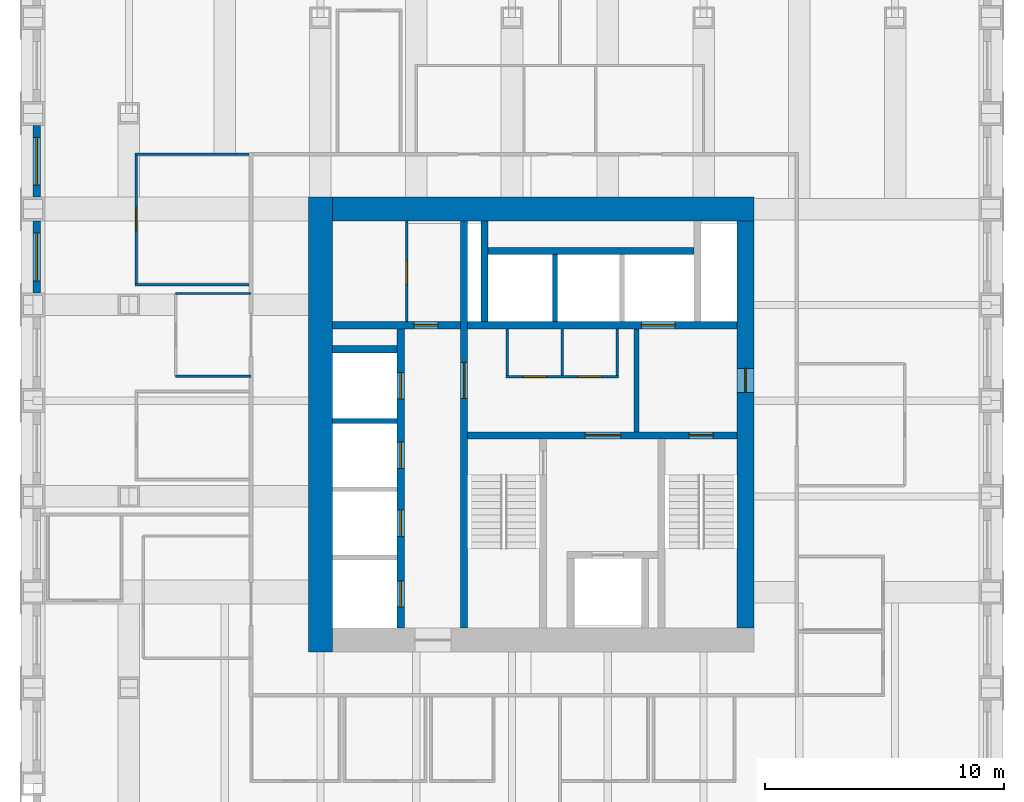
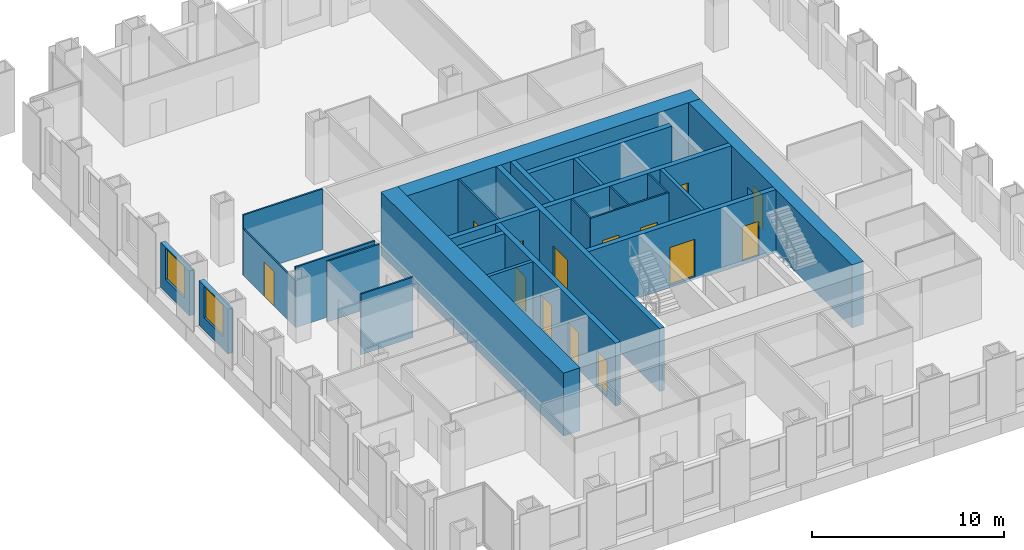
# One storey, part 10 of 14: 26 walls, 14 doors, 2 windows, 16 openings.
"""IFC4 building model written with IfcOpenShell, lengths in metres."""

from ifc_helpers import new_model, si_unit, direction, frame, frame_2d, origin, place, context, subcontext, project, spatial, rectangle, extrude, material, layer, layer_set, type_object, element, fill, save


model = new_model("IFC4")

# Units and contexts
model_context = context("Model", 3, precision=1e-05, world=origin(), true_north=direction((0.0, 1.0)))
body_context = subcontext(model_context, "Body", "Model", "MODEL_VIEW")
ifc_project = project(units=[si_unit("LENGTHUNIT", "METRE"), si_unit("AREAUNIT", "SQUARE_METRE"), si_unit("VOLUMEUNIT", "CUBIC_METRE"), si_unit("PLANEANGLEUNIT", "RADIAN"), si_unit("MASSUNIT", "GRAM", prefix="KILO")], contexts=[model_context])

# Site, building, storey
site_placement = place(None, origin())
site = spatial("IfcSite", under=ifc_project, at=site_placement, CompositionType="ELEMENT")
building_placement = place(site_placement, origin())
building = spatial("IfcBuilding", under=site, at=building_placement, Name="Rimbunsela Tower", CompositionType="ELEMENT")
storey_placement = place(building_placement, frame((0.0, 0.0, 179.800048828125)))
storey = spatial("IfcBuildingStorey", under=building, at=storey_placement, Name="L43", CompositionType="ELEMENT", Elevation=179.800048828125)

# Wall, opening, door
ifc_material_1 = material(Name="Concrete fc' 80 MPa", Category="concrete")
ifc_layer_1 = layer(ifc_material_1, 0.300048828125)
ifc_layer_set_1 = layer_set([ifc_layer_1], Name="Core internal wall 300")
wall_type_1 = type_object("IfcWallType", Name="Core internal wall 300", PredefinedType="SHEAR", material=ifc_layer_set_1)
wall_1_placement = place(storey_placement, frame((24.0, 18.5, -0.150146484375), z_axis=(0.0, 0.0, 1.0), x_axis=(0.0, 1.0, 0.0)))
wall_1 = element("IfcWall", 1, at=wall_1_placement, inside=storey, type_object=wall_type_1, Name="Core wall at stair A", PredefinedType="SHEAR", context=body_context, shape_type="SweptSolid", body=[
    extrude(rectangle(XDim=17.0, YDim=0.300048828125, at=frame_2d((8.5, 0.0))), origin(), (0.0, 0.0, 1.0), 4.0),
])
opening_1_placement = place(wall_1_placement, frame((9.60009765625, 0.0, 0.14990234375)))
opening_1 = element("IfcOpeningElement", 2, at=opening_1_placement, cuts=wall_1, Name="Opening D03", PredefinedType="OPENING", context=body_context, shape_type="SweptSolid", body=[
    extrude(rectangle(XDim=1.5, YDim=2.39990234375, at=frame_2d((0.75, 1.199951171875))), frame((0.0, 0.159912109375, 0.0), z_axis=(0.0, -1.0, 0.0), x_axis=(1.0, 0.0, 0.0)), (0.0, 0.0, 1.0), 0.320068359375),
])
ifc_material_2 = material(Name="Steel door, fire rated", Category="steel")
door_type_1 = type_object("IfcDoorType", Name="Core lobby door 1500", OperationType="DOUBLE_DOOR_DOUBLE_SWING", PredefinedType="DOOR", material=ifc_material_2)
door_1_placement = place(opening_1_placement, origin())
door_1 = element("IfcDoor", 3, at=door_1_placement, inside=storey, type_object=door_type_1, Name="West lobby door", OperationType="DOUBLE_DOOR_DOUBLE_SWING", OverallHeight=2.39990234375, OverallWidth=1.5, PredefinedType="DOOR", context=body_context, shape_type="SweptSolid", body=[
    extrude(rectangle(XDim=1.5, YDim=2.39990234375, at=frame_2d((0.75, 1.199951171875))), frame((0.0, 0.02490234375, 0.0), z_axis=(0.0, -1.0, 0.0), x_axis=(1.0, 0.0, 0.0)), (0.0, 0.0, 1.0), 0.050048828125),
])
fill(opening_1, door_1)

# Wall, openings, doors
wall_2_placement = place(storey_placement, frame((24.14990234375, 26.550048828125, -0.150146484375), z_axis=(0.0, 0.0, 1.0), x_axis=(1.0, 0.0, 0.0)))
wall_2 = element("IfcWall", 4, at=wall_2_placement, inside=storey, type_object=wall_type_1, Name="Core wall lobby south", PredefinedType="SHEAR", context=body_context, shape_type="SweptSolid", body=[
    extrude(rectangle(XDim=11.25, YDim=0.300048828125, at=frame_2d((5.625, 0.0))), origin(), (0.0, 0.0, 1.0), 4.0),
])
opening_2_placement = place(wall_2_placement, frame((9.25, 0.0, 0.14990234375)))
opening_2 = element("IfcOpeningElement", 5, at=opening_2_placement, cuts=wall_2, Name="Opening D01", PredefinedType="OPENING", context=body_context, shape_type="SweptSolid", body=[
    extrude(rectangle(XDim=1.0, YDim=2.199951171875, at=frame_2d((0.5, 1.10009765625))), frame((0.0, 0.159912109375, 0.0), z_axis=(0.0, -1.0, 0.0), x_axis=(1.0, 0.0, 0.0)), (0.0, 0.0, 1.0), 0.320068359375),
])
opening_3_placement = place(wall_2_placement, frame((4.89990234375, 0.0, 0.14990234375)))
opening_3 = element("IfcOpeningElement", 6, at=opening_3_placement, cuts=wall_2, Name="Opening D03", PredefinedType="OPENING", context=body_context, shape_type="SweptSolid", body=[
    extrude(rectangle(XDim=1.5, YDim=2.39990234375, at=frame_2d((0.75, 1.199951171875))), frame((0.0, 0.159912109375, 0.0), z_axis=(0.0, -1.0, 0.0), x_axis=(1.0, 0.0, 0.0)), (0.0, 0.0, 1.0), 0.320068359375),
])
door_2_placement = place(opening_3_placement, origin())
door_2 = element("IfcDoor", 7, at=door_2_placement, inside=storey, type_object=door_type_1, Name="Firefighting lobby door", OperationType="DOUBLE_DOOR_DOUBLE_SWING", OverallHeight=2.39990234375, OverallWidth=1.5, PredefinedType="DOOR", context=body_context, shape_type="SweptSolid", body=[
    extrude(rectangle(XDim=1.5, YDim=2.39990234375, at=frame_2d((0.75, 1.199951171875))), frame((0.0, 0.02490234375, 0.0), z_axis=(0.0, -1.0, 0.0), x_axis=(1.0, 0.0, 0.0)), (0.0, 0.0, 1.0), 0.050048828125),
])
fill(opening_3, door_2)
ifc_material_3 = material(Name="Steel door, fire rated", Category="steel")
door_type_2 = type_object("IfcDoorType", Name="Stair door 1000", OperationType="SINGLE_SWING_RIGHT", PredefinedType="DOOR", material=ifc_material_3)
door_3_placement = place(opening_2_placement, frame((1.0, 0.0, 0.0), z_axis=(0.0, 0.0, 1.0), x_axis=(-1.0, 0.0, 0.0)))
door_3 = element("IfcDoor", 8, at=door_3_placement, inside=storey, type_object=door_type_2, Name="Stair B door", OperationType="SINGLE_SWING_RIGHT", OverallHeight=2.199951171875, OverallWidth=1.0, PredefinedType="DOOR", context=body_context, shape_type="SweptSolid", body=[
    extrude(rectangle(XDim=1.0, YDim=2.199951171875, at=frame_2d((0.5, 1.10009765625))), frame((0.0, 0.02490234375, 0.0), z_axis=(0.0, -1.0, 0.0), x_axis=(1.0, 0.0, 0.0)), (0.0, 0.0, 1.0), 0.050048828125),
])
fill(opening_2, door_3)

# Wall, opening, door
wall_3_placement = place(storey_placement, frame((24.14990234375, 31.14990234375, -0.150146484375), z_axis=(0.0, 0.0, 1.0), x_axis=(1.0, 0.0, 0.0)))
wall_3 = element("IfcWall", 9, at=wall_3_placement, inside=storey, type_object=wall_type_1, Name="Lift shaft front north", PredefinedType="SHEAR", context=body_context, shape_type="SweptSolid", body=[
    extrude(rectangle(XDim=11.25, YDim=0.300048828125, at=frame_2d((5.625, 0.0))), origin(), (0.0, 0.0, 1.0), 4.0),
])
opening_4_placement = place(wall_3_placement, frame((7.25, 0.0, 0.14990234375)))
opening_4 = element("IfcOpeningElement", 10, at=opening_4_placement, cuts=wall_3, Name="Opening LD3", PredefinedType="OPENING", context=body_context, shape_type="SweptSolid", body=[
    extrude(rectangle(XDim=1.39990234375, YDim=2.39990234375, at=frame_2d((0.699951171875, 1.199951171875))), frame((0.0, 0.159912109375, 0.0), z_axis=(0.0, -1.0, 0.0), x_axis=(1.0, 0.0, 0.0)), (0.0, 0.0, 1.0), 0.320068359375),
])
ifc_material_4 = material(Name="Steel door, fire rated", Category="steel")
door_type_3 = type_object("IfcDoorType", Name="Lift landing door 1400", OperationType="DOUBLE_DOOR_SLIDING", PredefinedType="DOOR", material=ifc_material_4)
door_4_placement = place(opening_4_placement, origin())
door_4 = element("IfcDoor", 11, at=door_4_placement, inside=storey, type_object=door_type_3, Name="Lift landing door FL2", OperationType="DOUBLE_DOOR_SLIDING", OverallHeight=2.39990234375, OverallWidth=1.39990234375, PredefinedType="DOOR", context=body_context, shape_type="SweptSolid", body=[
    extrude(rectangle(XDim=1.39990234375, YDim=2.39990234375, at=frame_2d((0.699951171875, 1.199951171875))), frame((0.0, 0.02490234375, 0.0), z_axis=(0.0, -1.0, 0.0), x_axis=(1.0, 0.0, 0.0)), (0.0, 0.0, 1.0), 0.050048828125),
])
fill(opening_4, door_4)

# Wall, openings, doors
wall_4_placement = place(storey_placement, frame((21.35009765625, 18.5, -0.150146484375), z_axis=(0.0, 0.0, 1.0), x_axis=(0.0, 1.0, 0.0)))
wall_4 = element("IfcWall", 12, at=wall_4_placement, inside=storey, type_object=wall_type_1, Name="Lift shaft front west", PredefinedType="SHEAR", context=body_context, shape_type="SweptSolid", body=[
    extrude(rectangle(XDim=12.5, YDim=0.300048828125, at=frame_2d((6.25, 0.0))), origin(), (0.0, 0.0, 1.0), 4.0),
])
opening_5_placement = place(wall_4_placement, frame((0.875, 0.0, 0.14990234375)))
opening_5 = element("IfcOpeningElement", 13, at=opening_5_placement, cuts=wall_4, Name="Opening LD1", PredefinedType="OPENING", context=body_context, shape_type="SweptSolid", body=[
    extrude(rectangle(XDim=1.10009765625, YDim=2.199951171875, at=frame_2d((0.550048828125, 1.10009765625))), frame((0.0, 0.159912109375, 0.0), z_axis=(0.0, -1.0, 0.0), x_axis=(1.0, 0.0, 0.0)), (0.0, 0.0, 1.0), 0.320068359375),
])
opening_6_placement = place(wall_4_placement, frame((3.824951171875, 0.0, 0.14990234375)))
opening_6 = element("IfcOpeningElement", 14, at=opening_6_placement, cuts=wall_4, Name="Opening LD1", PredefinedType="OPENING", context=body_context, shape_type="SweptSolid", body=[
    extrude(rectangle(XDim=1.10009765625, YDim=2.199951171875, at=frame_2d((0.550048828125, 1.10009765625))), frame((0.0, 0.159912109375, 0.0), z_axis=(0.0, -1.0, 0.0), x_axis=(1.0, 0.0, 0.0)), (0.0, 0.0, 1.0), 0.320068359375),
])
opening_7_placement = place(wall_4_placement, frame((6.675048828125, 0.0, 0.14990234375)))
opening_7 = element("IfcOpeningElement", 15, at=opening_7_placement, cuts=wall_4, Name="Opening LD1", PredefinedType="OPENING", context=body_context, shape_type="SweptSolid", body=[
    extrude(rectangle(XDim=1.10009765625, YDim=2.199951171875, at=frame_2d((0.550048828125, 1.10009765625))), frame((0.0, 0.159912109375, 0.0), z_axis=(0.0, -1.0, 0.0), x_axis=(1.0, 0.0, 0.0)), (0.0, 0.0, 1.0), 0.320068359375),
])
opening_8_placement = place(wall_4_placement, frame((9.574951171875, 0.0, 0.14990234375)))
opening_8 = element("IfcOpeningElement", 16, at=opening_8_placement, cuts=wall_4, Name="Opening LD1", PredefinedType="OPENING", context=body_context, shape_type="SweptSolid", body=[
    extrude(rectangle(XDim=1.10009765625, YDim=2.199951171875, at=frame_2d((0.550048828125, 1.10009765625))), frame((0.0, 0.159912109375, 0.0), z_axis=(0.0, -1.0, 0.0), x_axis=(1.0, 0.0, 0.0)), (0.0, 0.0, 1.0), 0.320068359375),
])
ifc_material_5 = material(Name="Steel door, fire rated", Category="steel")
door_type_4 = type_object("IfcDoorType", Name="Lift landing door 1100", OperationType="DOUBLE_DOOR_SLIDING", PredefinedType="DOOR", material=ifc_material_5)
door_5_placement = place(opening_5_placement, origin())
door_5 = element("IfcDoor", 17, at=door_5_placement, inside=storey, type_object=door_type_4, Name="Lift landing door HL1", OperationType="DOUBLE_DOOR_SLIDING", OverallHeight=2.199951171875, OverallWidth=1.10009765625, PredefinedType="DOOR", context=body_context, shape_type="SweptSolid", body=[
    extrude(rectangle(XDim=1.10009765625, YDim=2.199951171875, at=frame_2d((0.550048828125, 1.10009765625))), frame((0.0, 0.02490234375, 0.0), z_axis=(0.0, -1.0, 0.0), x_axis=(1.0, 0.0, 0.0)), (0.0, 0.0, 1.0), 0.050048828125),
])
fill(opening_5, door_5)
door_6_placement = place(opening_6_placement, origin())
door_6 = element("IfcDoor", 18, at=door_6_placement, inside=storey, type_object=door_type_4, Name="Lift landing door HL2", OperationType="DOUBLE_DOOR_SLIDING", OverallHeight=2.199951171875, OverallWidth=1.10009765625, PredefinedType="DOOR", context=body_context, shape_type="SweptSolid", body=[
    extrude(rectangle(XDim=1.10009765625, YDim=2.199951171875, at=frame_2d((0.550048828125, 1.10009765625))), frame((0.0, 0.02490234375, 0.0), z_axis=(0.0, -1.0, 0.0), x_axis=(1.0, 0.0, 0.0)), (0.0, 0.0, 1.0), 0.050048828125),
])
fill(opening_6, door_6)
door_7_placement = place(opening_7_placement, origin())
door_7 = element("IfcDoor", 19, at=door_7_placement, inside=storey, type_object=door_type_4, Name="Lift landing door HL3", OperationType="DOUBLE_DOOR_SLIDING", OverallHeight=2.199951171875, OverallWidth=1.10009765625, PredefinedType="DOOR", context=body_context, shape_type="SweptSolid", body=[
    extrude(rectangle(XDim=1.10009765625, YDim=2.199951171875, at=frame_2d((0.550048828125, 1.10009765625))), frame((0.0, 0.02490234375, 0.0), z_axis=(0.0, -1.0, 0.0), x_axis=(1.0, 0.0, 0.0)), (0.0, 0.0, 1.0), 0.050048828125),
])
fill(opening_7, door_7)
door_8_placement = place(opening_8_placement, origin())
door_8 = element("IfcDoor", 20, at=door_8_placement, inside=storey, type_object=door_type_4, Name="Lift landing door HL4", OperationType="DOUBLE_DOOR_SLIDING", OverallHeight=2.199951171875, OverallWidth=1.10009765625, PredefinedType="DOOR", context=body_context, shape_type="SweptSolid", body=[
    extrude(rectangle(XDim=1.10009765625, YDim=2.199951171875, at=frame_2d((0.550048828125, 1.10009765625))), frame((0.0, 0.02490234375, 0.0), z_axis=(0.0, -1.0, 0.0), x_axis=(1.0, 0.0, 0.0)), (0.0, 0.0, 1.0), 0.050048828125),
])
fill(opening_8, door_8)

# Wall, opening, door
wall_5_placement = place(storey_placement, frame((18.5, 31.14990234375, -0.150146484375), z_axis=(0.0, 0.0, 1.0), x_axis=(1.0, 0.0, 0.0)))
wall_5 = element("IfcWall", 21, at=wall_5_placement, inside=storey, type_object=wall_type_1, Name="Store wall", PredefinedType="SHEAR", context=body_context, shape_type="SweptSolid", body=[
    extrude(rectangle(XDim=5.35009765625, YDim=0.300048828125, at=frame_2d((2.675048828125, 0.0))), origin(), (0.0, 0.0, 1.0), 4.0),
])
opening_9_placement = place(wall_5_placement, frame((3.39990234375, 0.0, 0.14990234375)))
opening_9 = element("IfcOpeningElement", 22, at=opening_9_placement, cuts=wall_5, Name="Opening D19", PredefinedType="OPENING", context=body_context, shape_type="SweptSolid", body=[
    extrude(rectangle(XDim=1.0, YDim=2.199951171875, at=frame_2d((0.5, 1.10009765625))), frame((0.0, 0.159912109375, 0.0), z_axis=(0.0, -1.0, 0.0), x_axis=(1.0, 0.0, 0.0)), (0.0, 0.0, 1.0), 0.320068359375),
])
ifc_material_6 = material(Name="Steel door, fire rated", Category="steel")
door_type_5 = type_object("IfcDoorType", Name="Service door 1000 fire rated", OperationType="SINGLE_SWING_LEFT", PredefinedType="DOOR", material=ifc_material_6)
door_9_placement = place(opening_9_placement, origin())
door_9 = element("IfcDoor", 23, at=door_9_placement, inside=storey, type_object=door_type_5, Name="Staff pantry door", OperationType="SINGLE_SWING_LEFT", OverallHeight=2.199951171875, OverallWidth=1.0, PredefinedType="DOOR", context=body_context, shape_type="SweptSolid", body=[
    extrude(rectangle(XDim=1.0, YDim=2.199951171875, at=frame_2d((0.5, 1.10009765625))), frame((0.0, 0.02490234375, 0.0), z_axis=(0.0, -1.0, 0.0), x_axis=(1.0, 0.0, 0.0)), (0.0, 0.0, 1.0), 0.050048828125),
])
fill(opening_9, door_9)

# Walls
wall_6_placement = place(storey_placement, frame((18.5, 30.14990234375, -0.150146484375), z_axis=(0.0, 0.0, 1.0), x_axis=(1.0, 0.0, 0.0)))
element("IfcWall", 24, at=wall_6_placement, inside=storey, type_object=wall_type_1, Name="Lift shaft rear west", PredefinedType="SHEAR", context=body_context, shape_type="SweptSolid", body=[
    extrude(rectangle(XDim=2.699951171875, YDim=0.300048828125, at=frame_2d((1.35009765625, 0.0))), origin(), (0.0, 0.0, 1.0), 4.0),
])
wall_7_placement = place(storey_placement, frame((24.85009765625, 31.300048828125, -0.150146484375), z_axis=(0.0, 0.0, 1.0), x_axis=(0.0, 1.0, 0.0)))
element("IfcWall", 25, at=wall_7_placement, inside=storey, type_object=wall_type_1, Name="Riser wall", PredefinedType="SHEAR", context=body_context, shape_type="SweptSolid", body=[
    extrude(rectangle(XDim=4.199951171875, YDim=0.300048828125, at=frame_2d((2.10009765625, 0.0))), origin(), (0.0, 0.0, 1.0), 4.0),
])
wall_8_placement = place(storey_placement, frame((25.0, 34.25, -0.150146484375), z_axis=(0.0, 0.0, 1.0), x_axis=(1.0, 0.0, 0.0)))
element("IfcWall", 26, at=wall_8_placement, inside=storey, type_object=wall_type_1, Name="Lift shaft rear north", PredefinedType="SHEAR", context=body_context, shape_type="SweptSolid", body=[
    extrude(rectangle(XDim=8.60009765625, YDim=0.300048828125, at=frame_2d((4.300048828125, 0.0))), origin(), (0.0, 0.0, 1.0), 4.0),
])

# Wall, opening, door
ifc_material_7 = material(Name="Concrete blockwork", Category="masonry")
ifc_layer_2 = layer(ifc_material_7, 0.10009765625)
ifc_layer_set_2 = layer_set([ifc_layer_2], Name="Core room partition 100")
wall_type_2 = type_object("IfcWallType", Name="Core room partition 100", PredefinedType="PARTITIONING", material=ifc_layer_set_2)
wall_9_placement = place(storey_placement, frame((21.60009765625, 31.300048828125, 0.0), z_axis=(0.0, 0.0, 1.0), x_axis=(0.0, 1.0, 0.0)))
wall_9 = element("IfcWall", 27, at=wall_9_placement, inside=storey, type_object=wall_type_2, Name="Equipment store wall", PredefinedType="PARTITIONING", context=body_context, shape_type="SweptSolid", body=[
    extrude(rectangle(XDim=4.199951171875, YDim=0.10009765625, at=frame_2d((2.10009765625, 0.0))), origin(), (0.0, 0.0, 1.0), 3.849853515625),
])
opening_10_placement = place(wall_9_placement, frame((1.550048828125, 0.0, 0.0)))
opening_10 = element("IfcOpeningElement", 28, at=opening_10_placement, cuts=wall_9, Name="Opening D19", PredefinedType="OPENING", context=body_context, shape_type="SweptSolid", body=[
    extrude(rectangle(XDim=1.0, YDim=2.199951171875, at=frame_2d((0.5, 1.10009765625))), frame((0.0, 0.06005859375, 0.0), z_axis=(0.0, -1.0, 0.0), x_axis=(1.0, 0.0, 0.0)), (0.0, 0.0, 1.0), 0.1201171875),
])
door_10_placement = place(opening_10_placement, origin())
door_10 = element("IfcDoor", 29, at=door_10_placement, inside=storey, type_object=door_type_5, Name="Equipment store door", OperationType="SINGLE_SWING_LEFT", OverallHeight=2.199951171875, OverallWidth=1.0, PredefinedType="DOOR", context=body_context, shape_type="SweptSolid", body=[
    extrude(rectangle(XDim=1.0, YDim=2.199951171875, at=frame_2d((0.5, 1.10009765625))), frame((0.0, 0.02490234375, 0.0), z_axis=(0.0, -1.0, 0.0), x_axis=(1.0, 0.0, 0.0)), (0.0, 0.0, 1.0), 0.050048828125),
])
fill(opening_10, door_10)

# Wall, openings, doors
wall_10_placement = place(storey_placement, frame((25.75, 29.0, 0.0), z_axis=(0.0, 0.0, 1.0), x_axis=(1.0, 0.0, 0.0)))
wall_10 = element("IfcWall", 30, at=wall_10_placement, inside=storey, type_object=wall_type_2, Name="Lobby room wall", PredefinedType="PARTITIONING", context=body_context, shape_type="SweptSolid", body=[
    extrude(rectangle(XDim=4.699951171875, YDim=0.10009765625, at=frame_2d((2.35009765625, 0.0))), origin(), (0.0, 0.0, 1.0), 3.849853515625),
])
opening_11_placement = place(wall_10_placement, frame((0.699951171875, 0.0, 0.0)))
opening_11 = element("IfcOpeningElement", 31, at=opening_11_placement, cuts=wall_10, Name="Opening D19", PredefinedType="OPENING", context=body_context, shape_type="SweptSolid", body=[
    extrude(rectangle(XDim=1.0, YDim=2.199951171875, at=frame_2d((0.5, 1.10009765625))), frame((0.0, 0.06005859375, 0.0), z_axis=(0.0, -1.0, 0.0), x_axis=(1.0, 0.0, 0.0)), (0.0, 0.0, 1.0), 0.1201171875),
])
opening_12_placement = place(wall_10_placement, frame((3.0, 0.0, 0.0)))
opening_12 = element("IfcOpeningElement", 32, at=opening_12_placement, cuts=wall_10, Name="Opening D19", PredefinedType="OPENING", context=body_context, shape_type="SweptSolid", body=[
    extrude(rectangle(XDim=1.0, YDim=2.199951171875, at=frame_2d((0.5, 1.10009765625))), frame((0.0, 0.06005859375, 0.0), z_axis=(0.0, -1.0, 0.0), x_axis=(1.0, 0.0, 0.0)), (0.0, 0.0, 1.0), 0.1201171875),
])
door_11_placement = place(opening_11_placement, origin())
door_11 = element("IfcDoor", 33, at=door_11_placement, inside=storey, type_object=door_type_5, Name="Staff WC door", OperationType="SINGLE_SWING_LEFT", OverallHeight=2.199951171875, OverallWidth=1.0, PredefinedType="DOOR", context=body_context, shape_type="SweptSolid", body=[
    extrude(rectangle(XDim=1.0, YDim=2.199951171875, at=frame_2d((0.5, 1.10009765625))), frame((0.0, 0.02490234375, 0.0), z_axis=(0.0, -1.0, 0.0), x_axis=(1.0, 0.0, 0.0)), (0.0, 0.0, 1.0), 0.050048828125),
])
fill(opening_11, door_11)
door_12_placement = place(opening_12_placement, origin())
door_12 = element("IfcDoor", 34, at=door_12_placement, inside=storey, type_object=door_type_5, Name="Cleaners store door", OperationType="SINGLE_SWING_LEFT", OverallHeight=2.199951171875, OverallWidth=1.0, PredefinedType="DOOR", context=body_context, shape_type="SweptSolid", body=[
    extrude(rectangle(XDim=1.0, YDim=2.199951171875, at=frame_2d((0.5, 1.10009765625))), frame((0.0, 0.02490234375, 0.0), z_axis=(0.0, -1.0, 0.0), x_axis=(1.0, 0.0, 0.0)), (0.0, 0.0, 1.0), 0.050048828125),
])
fill(opening_12, door_12)

# Walls
for number, where, z_axis, x_axis, name in (
    (35, (25.800048828125, 29.050048828125, 0.0), (0.0, 0.0, 1.0), (0.0, 1.0, 0.0), "Lobby room wall"),
    (36, (30.39990234375, 29.050048828125, 0.0), (0.0, 0.0, 1.0), (0.0, 1.0, 0.0), "Lobby room wall"),
    (37, (28.10009765625, 29.050048828125, 0.0), (0.0, 0.0, 1.0), (0.0, 1.0, 0.0), "Lobby room wall"),
):
    element("IfcWall", number, at=place(storey_placement, frame(where, z_axis=z_axis, x_axis=x_axis)), inside=storey, type_object=wall_type_2, Name=name, PredefinedType="PARTITIONING", context=body_context, shape_type="SweptSolid", body=[
        extrude(rectangle(XDim=1.949951171875, YDim=0.10009765625, at=frame_2d((0.97509765625, 0.0))), origin(), (0.0, 0.0, 1.0), 3.849853515625),
    ])
ifc_material_8 = material(Name="Concrete fc' 80 MPa", Category="concrete")
ifc_layer_3 = layer(ifc_material_8, 1.0)
ifc_layer_set_3 = layer_set([ifc_layer_3], Name="Core wall 1000")
wall_type_3 = type_object("IfcWallType", Name="Core wall 1000", PredefinedType="SHEAR", material=ifc_layer_set_3)
wall_11_placement = place(storey_placement, frame((18.0, 17.5, -0.150146484375), z_axis=(0.0, 0.0, 1.0), x_axis=(0.0, 1.0, 0.0)))
element("IfcWall", 38, at=wall_11_placement, inside=storey, type_object=wall_type_3, Name="Core wall west", PredefinedType="SHEAR", context=body_context, shape_type="SweptSolid", body=[
    extrude(rectangle(XDim=19.0, YDim=1.0, at=frame_2d((9.5, 0.0))), origin(), (0.0, 0.0, 1.0), 4.0),
])
wall_12_placement = place(storey_placement, frame((18.5, 36.0, -0.150146484375), z_axis=(0.0, 0.0, 1.0), x_axis=(1.0, 0.0, 0.0)))
element("IfcWall", 39, at=wall_12_placement, inside=storey, type_object=wall_type_3, Name="Core wall north", PredefinedType="SHEAR", context=body_context, shape_type="SweptSolid", body=[
    extrude(rectangle(XDim=17.60009765625, YDim=1.0, at=frame_2d((8.800048828125, 0.0))), origin(), (0.0, 0.0, 1.0), 4.0),
])

# Wall, opening, door
ifc_material_9 = material(Name="Concrete fc' 80 MPa", Category="concrete")
ifc_layer_4 = layer(ifc_material_9, 0.699951171875)
ifc_layer_set_4 = layer_set([ifc_layer_4], Name="Core wall 700 east")
wall_type_4 = type_object("IfcWallType", Name="Core wall 700 east", PredefinedType="SHEAR", material=ifc_layer_set_4)
wall_13_placement = place(storey_placement, frame((35.75, 18.5, -0.150146484375), z_axis=(0.0, 0.0, 1.0), x_axis=(0.0, 1.0, 0.0)))
wall_13 = element("IfcWall", 40, at=wall_13_placement, inside=storey, type_object=wall_type_4, Name="Core wall east", PredefinedType="SHEAR", context=body_context, shape_type="SweptSolid", body=[
    extrude(rectangle(XDim=17.0, YDim=0.699951171875, at=frame_2d((8.5, 0.0))), origin(), (0.0, 0.0, 1.0), 4.0),
])
opening_13_placement = place(wall_13_placement, frame((9.85009765625, 0.0, 0.14990234375)))
opening_13 = element("IfcOpeningElement", 41, at=opening_13_placement, cuts=wall_13, Name="Opening D01", PredefinedType="OPENING", context=body_context, shape_type="SweptSolid", body=[
    extrude(rectangle(XDim=1.0, YDim=2.199951171875, at=frame_2d((0.5, 1.10009765625))), frame((0.0, 0.35986328125, 0.0), z_axis=(0.0, -1.0, 0.0), x_axis=(1.0, 0.0, 0.0)), (0.0, 0.0, 1.0), 0.719970703125),
])
door_13_placement = place(opening_13_placement, origin())
door_13 = element("IfcDoor", 42, at=door_13_placement, inside=storey, type_object=door_type_2, Name="Firefighting lobby 2 door", OperationType="SINGLE_SWING_RIGHT", OverallHeight=2.199951171875, OverallWidth=1.0, PredefinedType="DOOR", context=body_context, shape_type="SweptSolid", body=[
    extrude(rectangle(XDim=1.0, YDim=2.199951171875, at=frame_2d((0.5, 1.10009765625))), frame((0.0, 0.02490234375, 0.0), z_axis=(0.0, -1.0, 0.0), x_axis=(1.0, 0.0, 0.0)), (0.0, 0.0, 1.0), 0.050048828125),
])
fill(opening_13, door_13)

# Walls
ifc_material_10 = material(Name="Concrete blockwork", Category="masonry")
ifc_layer_5 = layer(ifc_material_10, 0.199951171875)
ifc_layer_set_5 = layer_set([ifc_layer_5], Name="Lift shaft wall 200")
wall_type_5 = type_object("IfcWallType", Name="Lift shaft wall 200", PredefinedType="SOLIDWALL", material=ifc_layer_set_5)
wall_14_placement = place(storey_placement, frame((27.800048828125, 31.300048828125, -0.150146484375), z_axis=(0.0, 0.0, 1.0), x_axis=(0.0, 1.0, 0.0)))
element("IfcWall", 43, at=wall_14_placement, inside=storey, type_object=wall_type_5, Name="Lift shaft separation", PredefinedType="SOLIDWALL", context=body_context, shape_type="SweptSolid", body=[
    extrude(rectangle(XDim=2.800048828125, YDim=0.199951171875, at=frame_2d((1.39990234375, 0.0))), origin(), (0.0, 0.0, 1.0), 4.0),
])
wall_15_placement = place(storey_placement, frame((18.5, 27.14990234375, -0.150146484375), z_axis=(0.0, 0.0, 1.0), x_axis=(1.0, 0.0, 0.0)))
element("IfcWall", 44, at=wall_15_placement, inside=storey, type_object=wall_type_5, Name="Lift shaft separation", PredefinedType="SOLIDWALL", context=body_context, shape_type="SweptSolid", body=[
    extrude(rectangle(XDim=2.699951171875, YDim=0.199951171875, at=frame_2d((1.35009765625, 0.0))), origin(), (0.0, 0.0, 1.0), 4.0),
])
wall_16_placement = place(storey_placement, frame((31.199951171875, 26.699951171875, 0.0), z_axis=(0.0, 0.0, 1.0), x_axis=(0.0, 1.0, 0.0)))
element("IfcWall", 45, at=wall_16_placement, inside=storey, type_object=wall_type_5, Name="Firefighting lobby 2 wall", PredefinedType="SOLIDWALL", context=body_context, shape_type="SweptSolid", body=[
    extrude(rectangle(XDim=4.300048828125, YDim=0.199951171875, at=frame_2d((2.14990234375, 0.0))), origin(), (0.0, 0.0, 1.0), 3.849853515625),
])
ifc_material_11 = material(Name="Gypsum board on steel studs", Category="steel")
ifc_layer_6 = layer(ifc_material_11, 0.10009765625)
ifc_layer_set_6 = layer_set([ifc_layer_6], Name="Office partition 100")
wall_type_6 = type_object("IfcWallType", Name="Office partition 100", PredefinedType="PARTITIONING", material=ifc_layer_set_6)
for number, where, z_axis, x_axis, name in (
    (46, (10.25, 32.85009765625, 0.0), (0.0, 0.0, 1.0), (1.0, 0.0, 0.0), "Office partition"),
    (47, (10.25, 38.300048828125, 0.0), (0.0, 0.0, 1.0), (1.0, 0.0, 0.0), "Office partition"),
):
    element("IfcWall", number, at=place(storey_placement, frame(where, z_axis=z_axis, x_axis=x_axis)), inside=storey, type_object=wall_type_6, Name=name, PredefinedType="PARTITIONING", context=body_context, shape_type="SweptSolid", body=[
        extrude(rectangle(XDim=4.77490234375, YDim=0.10009765625, at=frame_2d((2.387451171875, 0.0))), origin(), (0.0, 0.0, 1.0), 3.849853515625),
    ])

# Wall, opening, door
wall_17_placement = place(storey_placement, frame((10.300048828125, 32.89990234375, 0.0), z_axis=(0.0, 0.0, 1.0), x_axis=(0.0, 1.0, 0.0)))
wall_17 = element("IfcWall", 48, at=wall_17_placement, inside=storey, type_object=wall_type_6, Name="Office partition", PredefinedType="PARTITIONING", context=body_context, shape_type="SweptSolid", body=[
    extrude(rectangle(XDim=5.35009765625, YDim=0.10009765625, at=frame_2d((2.675048828125, 0.0))), origin(), (0.0, 0.0, 1.0), 2.949951171875),
])
opening_14_placement = place(wall_17_placement, frame((2.175048828125, 0.0, 0.0)))
opening_14 = element("IfcOpeningElement", 49, at=opening_14_placement, cuts=wall_17, Name="Opening D16", PredefinedType="OPENING", context=body_context, shape_type="SweptSolid", body=[
    extrude(rectangle(XDim=1.0, YDim=2.199951171875, at=frame_2d((0.5, 1.10009765625))), frame((0.0, 0.06005859375, 0.0), z_axis=(0.0, -1.0, 0.0), x_axis=(1.0, 0.0, 0.0)), (0.0, 0.0, 1.0), 0.1201171875),
])
ifc_material_12 = material(Name="Timber door", Category="wood")
door_type_6 = type_object("IfcDoorType", Name="Office door 1000", OperationType="SINGLE_SWING_LEFT", PredefinedType="DOOR", material=ifc_material_12)
door_14_placement = place(opening_14_placement, origin())
door_14 = element("IfcDoor", 50, at=door_14_placement, inside=storey, type_object=door_type_6, Name="Office door", OperationType="SINGLE_SWING_LEFT", OverallHeight=2.199951171875, OverallWidth=1.0, PredefinedType="DOOR", context=body_context, shape_type="SweptSolid", body=[
    extrude(rectangle(XDim=1.0, YDim=2.199951171875, at=frame_2d((0.5, 1.10009765625))), frame((0.0, 0.02490234375, 0.0), z_axis=(0.0, -1.0, 0.0), x_axis=(1.0, 0.0, 0.0)), (0.0, 0.0, 1.0), 0.050048828125),
])
fill(opening_14, door_14)

# Walls
for number, where, z_axis, x_axis, name in (
    (51, (15.10009765625, 32.47509765625, 0.0), (0.0, 0.0, 1.0), (-1.0, 0.0, 0.0), "Office partition"),
    (52, (11.949951171875, 29.02490234375, 0.0), (0.0, 0.0, 1.0), (1.0, 0.0, 0.0), "Office partition"),
):
    element("IfcWall", number, at=place(storey_placement, frame(where, z_axis=z_axis, x_axis=x_axis)), inside=storey, type_object=wall_type_6, Name=name, PredefinedType="PARTITIONING", context=body_context, shape_type="SweptSolid", body=[
        extrude(rectangle(XDim=3.150146484375, YDim=0.10009765625, at=frame_2d((1.5751953125, 0.0))), origin(), (0.0, 0.0, 1.0), 3.849853515625),
    ])

# Wall, opening, window
ifc_material_13 = material(Name="Precast concrete fc' 35 MPa", Category="concrete")
ifc_layer_7 = layer(ifc_material_13, 0.300048828125)
ifc_layer_set_7 = layer_set([ifc_layer_7], Name="Precast concrete fc' 35 MPa")
wall_type_7 = type_object("IfcWallType", Name="Precast facade panel 300", PredefinedType="ELEMENTEDWALL", material=ifc_layer_set_7)
wall_18_placement = place(storey_placement, frame((6.14990234375, 35.5, 0.0), z_axis=(0.0, 0.0, 1.0), x_axis=(0.0, -1.0, 0.0)))
wall_18 = element("IfcWall", 53, at=wall_18_placement, inside=storey, type_object=wall_type_7, Name="Facade panel W L43", PredefinedType="ELEMENTEDWALL", context=body_context, shape_type="SweptSolid", body=[
    extrude(rectangle(XDim=3.0, YDim=0.300048828125, at=frame_2d((1.5, 0.0))), origin(), (0.0, 0.0, 1.0), 2.849853515625),
])
opening_15_placement = place(wall_18_placement, frame((0.5, 0.0, 0.800048828125)))
opening_15 = element("IfcOpeningElement", 54, at=opening_15_placement, cuts=wall_18, Name="Opening W1", PredefinedType="OPENING", context=body_context, shape_type="SweptSolid", body=[
    extrude(rectangle(XDim=2.0, YDim=2.0, at=frame_2d((1.0, 1.0))), frame((0.0, 0.159912109375, 0.0), z_axis=(0.0, -1.0, 0.0), x_axis=(1.0, 0.0, 0.0)), (0.0, 0.0, 1.0), 0.320068359375),
])
ifc_material_14 = material(Name="Clear glass in aluminium frame", Category="aluminium")
window_type = type_object("IfcWindowType", Name="Window W1 2000x2000", PartitioningType="DOUBLE_PANEL_VERTICAL", PredefinedType="WINDOW", material=ifc_material_14)
window_1_placement = place(opening_15_placement, origin())
window_1 = element("IfcWindow", 55, at=window_1_placement, inside=storey, type_object=window_type, Name="Window L43", OverallHeight=2.0, OverallWidth=2.0, PartitioningType="SINGLE_PANEL", PredefinedType="WINDOW", context=body_context, shape_type="SweptSolid", body=[
    extrude(rectangle(XDim=2.0, YDim=2.0, at=frame_2d((1.0, 1.0))), frame((0.0, 0.030029296875, 0.0), z_axis=(0.0, -1.0, 0.0), x_axis=(1.0, 0.0, 0.0)), (0.0, 0.0, 1.0), 0.06005859375),
])
fill(opening_15, window_1)

wall_19_placement = place(storey_placement, frame((6.14990234375, 39.5, 0.0), z_axis=(0.0, 0.0, 1.0), x_axis=(0.0, -1.0, 0.0)))
wall_19 = element("IfcWall", 56, at=wall_19_placement, inside=storey, type_object=wall_type_7, Name="Facade panel W L43", PredefinedType="ELEMENTEDWALL", context=body_context, shape_type="SweptSolid", body=[
    extrude(rectangle(XDim=3.0, YDim=0.300048828125, at=frame_2d((1.5, 0.0))), origin(), (0.0, 0.0, 1.0), 2.849853515625),
])
opening_16_placement = place(wall_19_placement, frame((0.5, 0.0, 0.800048828125)))
opening_16 = element("IfcOpeningElement", 57, at=opening_16_placement, cuts=wall_19, Name="Opening W1", PredefinedType="OPENING", context=body_context, shape_type="SweptSolid", body=[
    extrude(rectangle(XDim=2.0, YDim=2.0, at=frame_2d((1.0, 1.0))), frame((0.0, 0.159912109375, 0.0), z_axis=(0.0, -1.0, 0.0), x_axis=(1.0, 0.0, 0.0)), (0.0, 0.0, 1.0), 0.320068359375),
])
window_2_placement = place(opening_16_placement, origin())
window_2 = element("IfcWindow", 58, at=window_2_placement, inside=storey, type_object=window_type, Name="Window L43", OverallHeight=2.0, OverallWidth=2.0, PartitioningType="SINGLE_PANEL", PredefinedType="WINDOW", context=body_context, shape_type="SweptSolid", body=[
    extrude(rectangle(XDim=2.0, YDim=2.0, at=frame_2d((1.0, 1.0))), frame((0.0, 0.030029296875, 0.0), z_axis=(0.0, -1.0, 0.0), x_axis=(1.0, 0.0, 0.0)), (0.0, 0.0, 1.0), 0.06005859375),
])
fill(opening_16, window_2)

save(model, "model.ifc")
